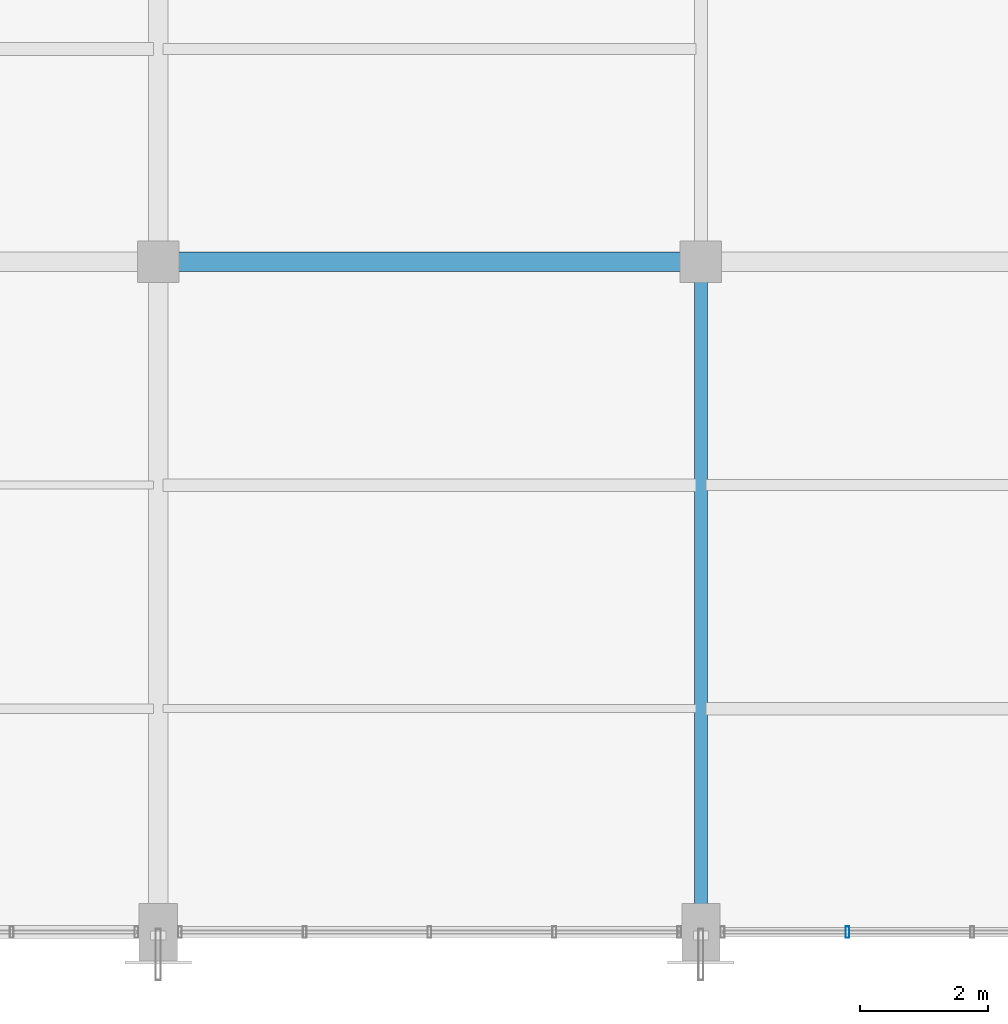
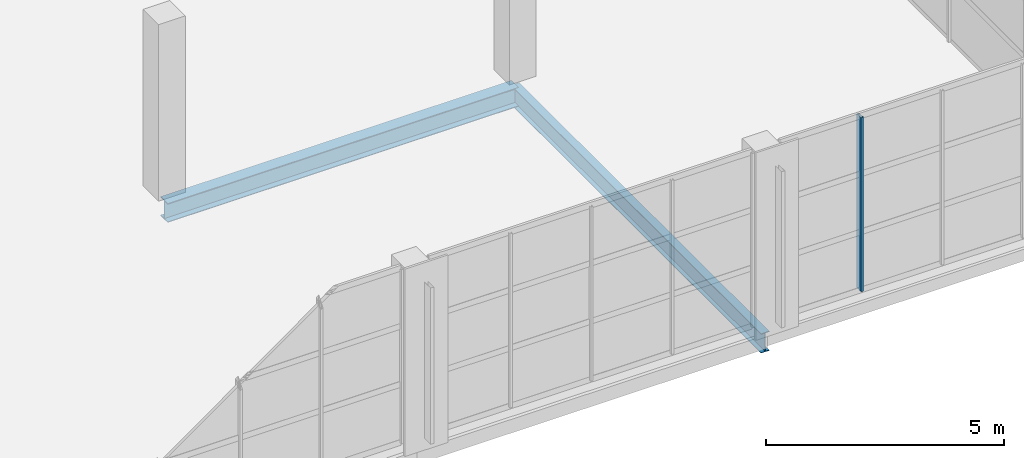
# One storey, part 22 of 86: 2 beams, 1 member, 1 element without a shape of its own.
"""IFC4 building model written with IfcOpenShell, lengths in metres."""

from ifc_helpers import new_model, si_unit, direction, frame, origin, origin_2d, place, context, subcontext, project, spatial, hollow_rectangle, i_section, extrude, material, material_profile, profile_set, type_object, element, aggregate, save


model = new_model("IFC4")

# Units and contexts
model_context = context("Model", 3, precision=1e-05, world=origin(), true_north=direction((0.0, 1.0)))
body_context = subcontext(model_context, "Body", "Model", "MODEL_VIEW")
ifc_project = project(units=[si_unit("LENGTHUNIT", "METRE"), si_unit("AREAUNIT", "SQUARE_METRE"), si_unit("VOLUMEUNIT", "CUBIC_METRE"), si_unit("PLANEANGLEUNIT", "RADIAN"), si_unit("MASSUNIT", "GRAM", prefix="KILO")], contexts=[model_context])

# Site, building, storey
site_placement = place(None, origin())
site = spatial("IfcSite", under=ifc_project, at=site_placement, CompositionType="ELEMENT")
building_placement = place(site_placement, origin())
building = spatial("IfcBuilding", under=site, at=building_placement, Name="Solvikara Media Centre", CompositionType="ELEMENT")
storey_placement = place(building_placement, frame((0.0, 0.0, 15.0)))
storey = spatial("IfcBuildingStorey", under=building, at=storey_placement, Name="L03", CompositionType="ELEMENT", Elevation=15.0)

# Beams
ifc_material_1 = material(Name="Steel S355JR", Category="steel")
ifc_material_profile_1 = material_profile(ifc_material_1, i_section(OverallWidth=0.300048828125, OverallDepth=0.488037109375, WebThickness=0.010986328125, FlangeThickness=0.01806640625, at=origin_2d()), Name="H 488x300x11x18")
ifc_profile_set_1 = profile_set([ifc_material_profile_1], Name="Steel S355JR")
beam_type_1 = type_object("IfcBeamType", Name="BM-27", PredefinedType="BEAM", material=ifc_profile_set_1)
beam_1_placement = place(storey_placement, frame((51.0, 10.5, -0.52587890625), z_axis=(1.0, 0.0, 0.0), x_axis=(0.0, 1.0, 0.0)))
element("IfcBeam", 1, at=beam_1_placement, inside=storey, type_object=beam_type_1, Name="B-L03-X1169", PredefinedType="BEAM", context=body_context, shape_type="SweptSolid", body=[
    extrude(i_section(OverallWidth=0.300048828125, OverallDepth=0.488037109375, WebThickness=0.010986328125, FlangeThickness=0.01806640625, at=origin_2d()), origin(), (0.0, 0.0, 1.0), 8.5),
])
ifc_material_profile_2 = material_profile(ifc_material_1, i_section(OverallWidth=0.198974609375, OverallDepth=0.49609375, WebThickness=0.009033203125, FlangeThickness=0.013916015625, at=origin_2d()), Name="H 496x199x9x14")
ifc_profile_set_2 = profile_set([ifc_material_profile_2], Name="Steel S355JR")
beam_type_2 = type_object("IfcBeamType", Name="BM-42", PredefinedType="BEAM", material=ifc_profile_set_2)
beam_2_placement = place(storey_placement, frame((59.5, 0.0, -0.530029296875), z_axis=(0.0, 1.0, 0.0), x_axis=(-1.0, 0.0, 0.0)))
element("IfcBeam", 2, at=beam_2_placement, inside=storey, type_object=beam_type_2, Name="B-L03-Y1272", PredefinedType="BEAM", context=body_context, shape_type="SweptSolid", body=[
    extrude(i_section(OverallWidth=0.198974609375, OverallDepth=0.49609375, WebThickness=0.009033203125, FlangeThickness=0.013916015625, at=origin_2d()), origin(), (0.0, 0.0, 1.0), 10.5),
])

# Curtain wall, member
ifc_material_2 = material(Name="Anodised aluminium EN AW-6063", Category="aluminium")
curtain_wall_type = type_object("IfcCurtainWallType", Name="CW-04", PredefinedType="NOTDEFINED", material=ifc_material_2)
curtain_wall_placement = place(storey_placement, origin())
curtain_wall = element("IfcCurtainWall", 3, at=curtain_wall_placement, inside=storey, type_object=curtain_wall_type, Name="CW-L03-V6S-4", PredefinedType="NOTDEFINED")
ifc_material_profile_3 = material_profile(ifc_material_2, hollow_rectangle(XDim=0.06005859375, YDim=0.179931640625, WallThickness=0.00341796875, at=origin_2d()), Name="ALU-M 60x180x3.5")
ifc_profile_set_3 = profile_set([ifc_material_profile_3], Name="Anodised aluminium EN AW-6063")
member_type = type_object("IfcMemberType", Name="MF-03", PredefinedType="MULLION", material=ifc_profile_set_3)
member_placement = place(storey_placement, frame((61.794921875, 0.0, 0.02001953125), z_axis=(0.0, 0.0, 1.0), x_axis=(1.0, 0.0, 0.0)))
member = element("IfcMember", 4, at=member_placement, type_object=member_type, Name="CW-L03-V6S-4-M01", PredefinedType="MULLION", context=body_context, shape_type="SweptSolid", body=[
    extrude(hollow_rectangle(XDim=0.06005859375, YDim=0.179931640625, WallThickness=0.00341796875, at=origin_2d()), origin(), (0.0, 0.0, 1.0), 4.4599609375),
])
aggregate(curtain_wall, [member])

save(model, "model.ifc")
